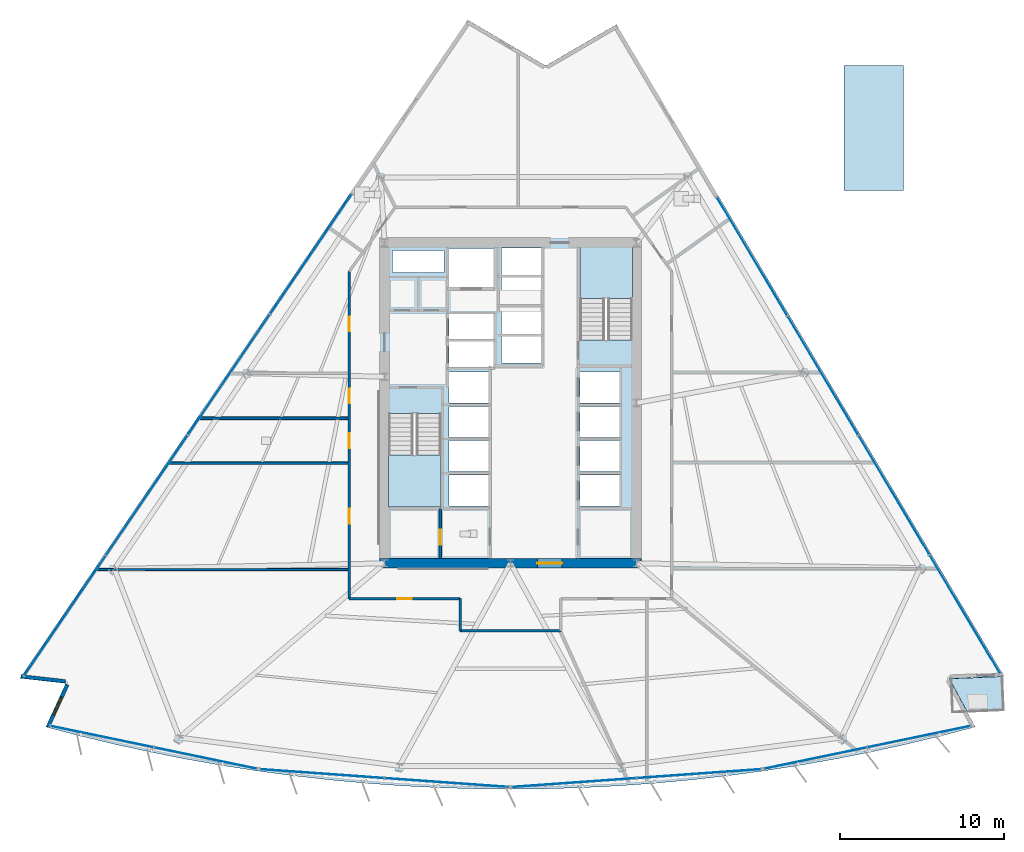
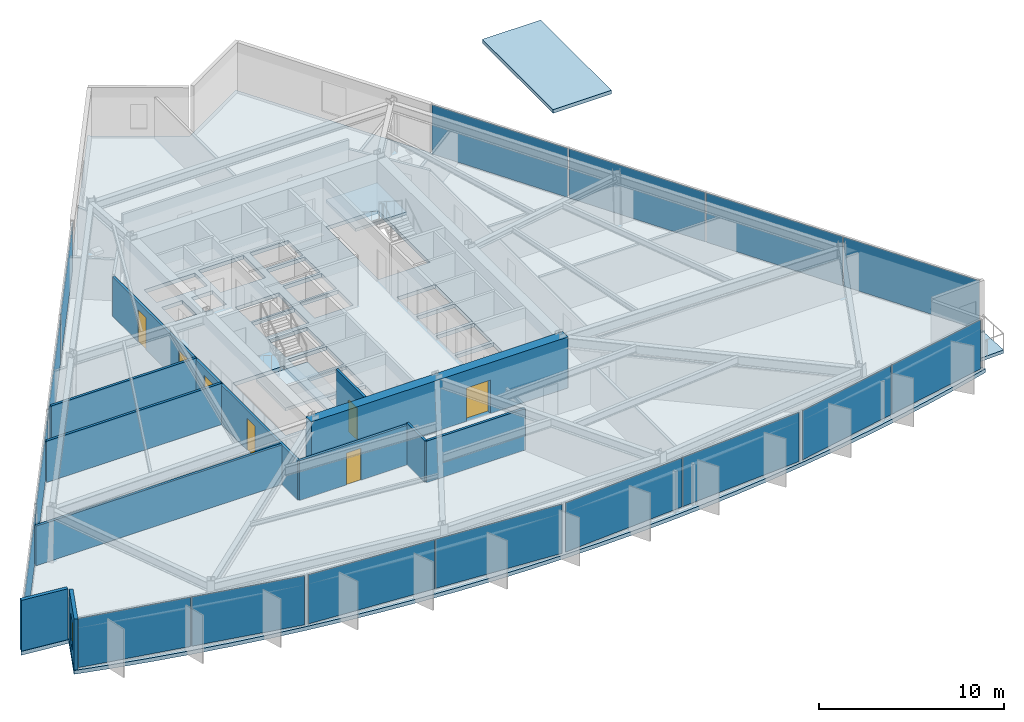
# One storey, part 8 of 16: 16 plates, 11 walls, 7 doors, 5 slabs, 1 window, 8 openings, 8 elements without a shape of their own.
"""IFC4 building model written with IfcOpenShell, lengths in metres."""

from ifc_helpers import new_model, si_unit, direction, frame, frame_2d, origin, origin_2d, place, context, subcontext, project, spatial, polyline, rectangle, outline, extrude, material, layer, layer_set, type_object, element, fill, aggregate, save


model = new_model("IFC4")

# Units and contexts
model_context = context("Model", 3, precision=1e-05, world=origin(), true_north=direction((0.0, 1.0)))
body_context = subcontext(model_context, "Body", "Model", "MODEL_VIEW")
ifc_project = project(units=[si_unit("LENGTHUNIT", "METRE"), si_unit("AREAUNIT", "SQUARE_METRE"), si_unit("VOLUMEUNIT", "CUBIC_METRE"), si_unit("PLANEANGLEUNIT", "RADIAN"), si_unit("MASSUNIT", "GRAM", prefix="KILO")], contexts=[model_context])

# Site, building, storey
site_placement = place(None, origin())
site = spatial("IfcSite", under=ifc_project, at=site_placement, CompositionType="ELEMENT")
building_placement = place(site_placement, origin())
building = spatial("IfcBuilding", under=site, at=building_placement, Name="Savorim Split Tower", CompositionType="ELEMENT")
storey_placement = place(building_placement, frame((0.0, 0.0, 30.0)))
storey = spatial("IfcBuildingStorey", under=building, at=storey_placement, Name="L07", CompositionType="ELEMENT", Elevation=30.0)

# Curtain wall, plates
ifc_material_1 = material(Name="Dark Ceramic-Fritted Insulated Glass", Category="glass")
curtain_wall_type = type_object("IfcCurtainWallType", Name="CW-TWR-FRIT-A", PredefinedType="NOTDEFINED", material=ifc_material_1)
curtain_wall_1_placement = place(storey_placement, origin())
curtain_wall_1 = element("IfcCurtainWall", 1, at=curtain_wall_1_placement, inside=storey, type_object=curtain_wall_type, Name="L07 Curtain Wall CW-L07-SF1", PredefinedType="NOTDEFINED")
ifc_layer_1 = layer(ifc_material_1, 0.028076171875)
ifc_layer_set_1 = layer_set([ifc_layer_1], Name="CWP-FRITA-28")
plate_type = type_object("IfcPlateType", Name="CWP-FRITA-28", PredefinedType="CURTAIN_PANEL", material=ifc_layer_set_1)
plate_1_placement = place(storey_placement, frame((-24.96826171875, -19.98974609375, 0.05517578125), z_axis=(0.0, 0.0, 1.0), x_axis=(0.979135110549, -0.203210322793, 0.0)))
plate_1 = element("IfcPlate", 2, at=plate_1_placement, type_object=plate_type, Name="CW-02 panel 1.1", PredefinedType="CURTAIN_PANEL", context=body_context, shape_type="SweptSolid", body=[
    extrude(rectangle(XDim=6.39013671875, YDim=0.028076171875, at=origin_2d()), origin(), (0.0, 0.0, 1.0), 3.239990234375),
])
plate_2_placement = place(storey_placement, frame((-18.647705078125, -21.301513671875, 0.05517578125), z_axis=(0.0, 0.0, 1.0), x_axis=(0.979135110549, -0.203210322793, 0.0)))
plate_2 = element("IfcPlate", 3, at=plate_2_placement, type_object=plate_type, Name="CW-02 panel 2.1", PredefinedType="CURTAIN_PANEL", context=body_context, shape_type="SweptSolid", body=[
    extrude(rectangle(XDim=6.39013671875, YDim=0.028076171875, at=origin_2d()), origin(), (0.0, 0.0, 1.0), 3.239990234375),
])
aggregate(curtain_wall_1, [plate_1, plate_2])

curtain_wall_2_placement = place(storey_placement, origin())
curtain_wall_2 = element("IfcCurtainWall", 4, at=curtain_wall_2_placement, inside=storey, type_object=curtain_wall_type, Name="L07 Curtain Wall CW-L07-SF2", PredefinedType="NOTDEFINED")
plate_3_placement = place(storey_placement, frame((-11.51123046875, -22.25390625, 0.05517578125), z_axis=(0.0, 0.0, 1.0), x_axis=(0.997436282589, -0.071560199658, 0.0)))
plate_3 = element("IfcPlate", 5, at=plate_3_placement, type_object=plate_type, Name="CW-02 panel 1.1", PredefinedType="CURTAIN_PANEL", context=body_context, shape_type="SweptSolid", body=[
    extrude(rectangle(XDim=7.572998046875, YDim=0.028076171875, at=origin_2d()), origin(), (0.0, 0.0, 1.0), 3.239990234375),
])
plate_4_placement = place(storey_placement, frame((-3.892822265625, -22.80029296875, 0.05517578125), z_axis=(0.0, 0.0, 1.0), x_axis=(0.997436282589, -0.071560199658, 0.0)))
plate_4 = element("IfcPlate", 6, at=plate_4_placement, type_object=plate_type, Name="CW-02 panel 2.1", PredefinedType="CURTAIN_PANEL", context=body_context, shape_type="SweptSolid", body=[
    extrude(rectangle(XDim=7.572998046875, YDim=0.028076171875, at=origin_2d()), origin(), (0.0, 0.0, 1.0), 3.239990234375),
])
aggregate(curtain_wall_2, [plate_3, plate_4])

curtain_wall_3_placement = place(storey_placement, origin())
curtain_wall_3 = element("IfcCurtainWall", 7, at=curtain_wall_3_placement, inside=storey, type_object=curtain_wall_type, Name="L07 Curtain Wall CW-L07-SF3", PredefinedType="NOTDEFINED")
plate_5_placement = place(storey_placement, frame((3.892822265625, -22.80029296875, 0.05517578125), z_axis=(0.0, 0.0, 1.0), x_axis=(0.997436282589, 0.071560199658, 0.0)))
plate_5 = element("IfcPlate", 8, at=plate_5_placement, type_object=plate_type, Name="CW-02 panel 1.1", PredefinedType="CURTAIN_PANEL", context=body_context, shape_type="SweptSolid", body=[
    extrude(rectangle(XDim=7.572998046875, YDim=0.028076171875, at=origin_2d()), origin(), (0.0, 0.0, 1.0), 3.239990234375),
])
plate_6_placement = place(storey_placement, frame((11.51123046875, -22.25390625, 0.05517578125), z_axis=(0.0, 0.0, 1.0), x_axis=(0.997436282589, 0.071560199658, 0.0)))
plate_6 = element("IfcPlate", 9, at=plate_6_placement, type_object=plate_type, Name="CW-02 panel 2.1", PredefinedType="CURTAIN_PANEL", context=body_context, shape_type="SweptSolid", body=[
    extrude(rectangle(XDim=7.572998046875, YDim=0.028076171875, at=origin_2d()), origin(), (0.0, 0.0, 1.0), 3.239990234375),
])
aggregate(curtain_wall_3, [plate_5, plate_6])

curtain_wall_4_placement = place(storey_placement, origin())
curtain_wall_4 = element("IfcCurtainWall", 10, at=curtain_wall_4_placement, inside=storey, type_object=curtain_wall_type, Name="L07 Curtain Wall CW-L07-SF4", PredefinedType="NOTDEFINED")
plate_7_placement = place(storey_placement, frame((18.647705078125, -21.301513671875, 0.05517578125), z_axis=(0.0, 0.0, 1.0), x_axis=(0.979135110549, 0.203210322793, 0.0)))
plate_7 = element("IfcPlate", 11, at=plate_7_placement, type_object=plate_type, Name="CW-02 panel 1.1", PredefinedType="CURTAIN_PANEL", context=body_context, shape_type="SweptSolid", body=[
    extrude(rectangle(XDim=6.39013671875, YDim=0.028076171875, at=origin_2d()), origin(), (0.0, 0.0, 1.0), 3.239990234375),
])
plate_8_placement = place(storey_placement, frame((24.96826171875, -19.98974609375, 0.05517578125), z_axis=(0.0, 0.0, 1.0), x_axis=(0.979135110549, 0.203210322793, 0.0)))
plate_8 = element("IfcPlate", 12, at=plate_8_placement, type_object=plate_type, Name="CW-02 panel 2.1", PredefinedType="CURTAIN_PANEL", context=body_context, shape_type="SweptSolid", body=[
    extrude(rectangle(XDim=6.39013671875, YDim=0.028076171875, at=origin_2d()), origin(), (0.0, 0.0, 1.0), 3.239990234375),
])
aggregate(curtain_wall_4, [plate_7, plate_8])

curtain_wall_5_placement = place(storey_placement, origin())
curtain_wall_5 = element("IfcCurtainWall", 13, at=curtain_wall_5_placement, inside=storey, type_object=curtain_wall_type, Name="L07 Curtain Wall CW-L07-EAST", PredefinedType="NOTDEFINED")
plate_9_placement = place(storey_placement, frame((27.76611328125, -12.51416015625, 0.05517578125), z_axis=(0.0, 0.0, 1.0), x_axis=(-0.511092439425, 0.859525752007, 0.0)))
plate_9 = element("IfcPlate", 14, at=plate_9_placement, type_object=plate_type, Name="CW-02 panel 1.1", PredefinedType="CURTAIN_PANEL", context=body_context, shape_type="SweptSolid", body=[
    extrude(rectangle(XDim=8.394775390625, YDim=0.028076171875, at=origin_2d()), origin(), (0.0, 0.0, 1.0), 3.239990234375),
])
plate_10_placement = place(storey_placement, frame((23.43408203125, -5.228759765625, 0.05517578125), z_axis=(0.0, 0.0, 1.0), x_axis=(-0.511092439425, 0.859525752007, 0.0)))
plate_10 = element("IfcPlate", 15, at=plate_10_placement, type_object=plate_type, Name="CW-02 panel 2.1", PredefinedType="CURTAIN_PANEL", context=body_context, shape_type="SweptSolid", body=[
    extrude(rectangle(XDim=8.42724609375, YDim=0.028076171875, at=origin_2d()), origin(), (0.0, 0.0, 1.0), 3.239990234375),
])
plate_11_placement = place(storey_placement, frame((19.093505859375, 2.070556640625, 0.05517578125), z_axis=(0.0, 0.0, 1.0), x_axis=(-0.511092439425, 0.859525752007, 0.0)))
plate_11 = element("IfcPlate", 16, at=plate_11_placement, type_object=plate_type, Name="CW-02 panel 3.1", PredefinedType="CURTAIN_PANEL", context=body_context, shape_type="SweptSolid", body=[
    extrude(rectangle(XDim=8.42724609375, YDim=0.028076171875, at=origin_2d()), origin(), (0.0, 0.0, 1.0), 3.239990234375),
])
plate_12_placement = place(storey_placement, frame((14.761474609375, 9.35595703125, 0.05517578125), z_axis=(0.0, 0.0, 1.0), x_axis=(-0.511092439425, 0.859525752007, 0.0)))
plate_12 = element("IfcPlate", 17, at=plate_12_placement, type_object=plate_type, Name="CW-02 panel 4.1", PredefinedType="CURTAIN_PANEL", context=body_context, shape_type="SweptSolid", body=[
    extrude(rectangle(XDim=8.394775390625, YDim=0.028076171875, at=origin_2d()), origin(), (0.0, 0.0, 1.0), 3.239990234375),
])
aggregate(curtain_wall_5, [plate_9, plate_10, plate_11, plate_12])

curtain_wall_6_placement = place(storey_placement, origin())
curtain_wall_6 = element("IfcCurtainWall", 18, at=curtain_wall_6_placement, inside=storey, type_object=curtain_wall_type, Name="L07 Curtain Wall CW-L07-WEST", PredefinedType="NOTDEFINED")
plate_13_placement = place(storey_placement, frame((-12.20166015625, 9.489990234375, 0.05517578125), z_axis=(0.0, 0.0, 1.0), x_axis=(-0.562465253164, -0.826820923165, 0.0)))
plate_13 = element("IfcPlate", 19, at=plate_13_placement, type_object=plate_type, Name="CW-02 panel 1.1", PredefinedType="CURTAIN_PANEL", context=body_context, shape_type="SweptSolid", body=[
    extrude(rectangle(XDim=8.822265625, YDim=0.028076171875, at=origin_2d()), origin(), (0.0, 0.0, 1.0), 3.239990234375),
])
plate_14_placement = place(storey_placement, frame((-17.20947265625, 2.12841796875, 0.05517578125), z_axis=(0.0, 0.0, 1.0), x_axis=(-0.562465253164, -0.826820923165, 0.0)))
plate_14 = element("IfcPlate", 20, at=plate_14_placement, type_object=plate_type, Name="CW-02 panel 2.1", PredefinedType="CURTAIN_PANEL", context=body_context, shape_type="SweptSolid", body=[
    extrude(rectangle(XDim=8.854736328125, YDim=0.028076171875, at=origin_2d()), origin(), (0.0, 0.0, 1.0), 3.239990234375),
])
plate_15_placement = place(storey_placement, frame((-22.2265625, -5.24658203125, 0.05517578125), z_axis=(0.0, 0.0, 1.0), x_axis=(-0.562465253164, -0.826820923165, 0.0)))
plate_15 = element("IfcPlate", 21, at=plate_15_placement, type_object=plate_type, Name="CW-02 panel 3.1", PredefinedType="CURTAIN_PANEL", context=body_context, shape_type="SweptSolid", body=[
    extrude(rectangle(XDim=8.854736328125, YDim=0.028076171875, at=origin_2d()), origin(), (0.0, 0.0, 1.0), 3.239990234375),
])
plate_16_placement = place(storey_placement, frame((-27.234375, -12.608154296875, 0.05517578125), z_axis=(0.0, 0.0, 1.0), x_axis=(-0.562465253164, -0.826820923165, 0.0)))
plate_16 = element("IfcPlate", 22, at=plate_16_placement, type_object=plate_type, Name="CW-02 panel 4.1", PredefinedType="CURTAIN_PANEL", context=body_context, shape_type="SweptSolid", body=[
    extrude(rectangle(XDim=8.822265625, YDim=0.028076171875, at=origin_2d()), origin(), (0.0, 0.0, 1.0), 3.239990234375),
])
aggregate(curtain_wall_6, [plate_13, plate_14, plate_15, plate_16])

# Slab
ifc_material_2 = material(Name="Concrete C50/60", Category="concrete")
ifc_layer_2 = layer(ifc_material_2, 0.219970703125)
ifc_layer_set_2 = layer_set([ifc_layer_2], Name="SLB-BAL-220")
slab_type_1 = type_object("IfcSlabType", Name="SLB-BAL-220", PredefinedType="FLOOR", material=ifc_layer_set_2)
slab_1_placement = place(storey_placement, frame((0.0, 0.0, -0.219970703125)))
element("IfcSlab", 23, at=slab_1_placement, inside=storey, type_object=slab_type_1, Name="L07 Notched Corner Planted Tree Balcony Slab", PredefinedType="FLOOR", context=body_context, shape_type="SweptSolid", body=[
    extrude(outline(polyline([(30.040283203125, -16.31591796875), (26.93603515625, -16.447998046875), (26.946044921875, -16.6796875), (27.89794921875, -18.453857421875), (30.12744140625, -18.35888671875), (30.040283203125, -16.31591796875)])), origin(), (0.0, 0.0, 1.0), 0.219970703125),
])

# Stair, slab
stair_type = type_object("IfcStairType", Name="STR-DOG-3600", PredefinedType="HALF_TURN_STAIR", material=ifc_material_2)
stair_1_placement = place(storey_placement, origin())
stair_1 = element("IfcStair", 24, at=stair_1_placement, inside=storey, type_object=stair_type, Name="L07 Core Protected Exit Stair ST-1", PredefinedType="HALF_TURN_STAIR")
ifc_layer_3 = layer(ifc_material_2, 0.199951171875)
ifc_layer_set_3 = layer_set([ifc_layer_3], Name="SLB-LND-200")
slab_type_2 = type_object("IfcSlabType", Name="SLB-LND-200", PredefinedType="LANDING", material=ifc_layer_set_3)
slab_2_placement = place(storey_placement, frame((0.0, 0.0, 1.60009765625)))
slab_2 = element("IfcSlab", 25, at=slab_2_placement, type_object=slab_type_2, Name="ST-1 landing 1", PredefinedType="LANDING", context=body_context, shape_type="SweptSolid", body=[
    extrude(outline(polyline([(-7.449951171875, -2.77001953125), (-7.449951171875, -5.949951171875), (-4.25, -5.949951171875), (-4.25, -2.77001953125), (-7.449951171875, -2.77001953125)])), origin(), (0.0, 0.0, 1.0), 0.199951171875),
])
aggregate(stair_1, [slab_2])

stair_2_placement = place(storey_placement, origin())
stair_2 = element("IfcStair", 26, at=stair_2_placement, inside=storey, type_object=stair_type, Name="L07 Core Protected Exit Stair ST-2", PredefinedType="HALF_TURN_STAIR")
slab_3_placement = place(storey_placement, frame((0.0, 0.0, 1.60009765625)))
slab_3 = element("IfcSlab", 27, at=slab_3_placement, type_object=slab_type_2, Name="ST-2 landing 1", PredefinedType="LANDING", context=body_context, shape_type="SweptSolid", body=[
    extrude(outline(polyline([(7.449951171875, 6.77001953125), (7.449951171875, 9.949951171875), (4.25, 9.949951171875), (4.25, 6.77001953125), (7.449951171875, 6.77001953125)])), origin(), (0.0, 0.0, 1.0), 0.199951171875),
])
aggregate(stair_2, [slab_3])

# Slabs
ifc_layer_4 = layer(ifc_material_2, 0.239990234375)
ifc_layer_set_4 = layer_set([ifc_layer_4], Name="SLB-ROOF-240")
slab_type_3 = type_object("IfcSlabType", Name="SLB-ROOF-240", PredefinedType="ROOF", material=ifc_layer_set_4)
slab_4_placement = place(storey_placement, frame((0.0, 0.0, -0.25)))
element("IfcSlab", 28, at=slab_4_placement, inside=storey, type_object=slab_type_3, Name="Stair ST-3 Garden Pavilion Roof Slab", PredefinedType="ROOF", context=body_context, shape_type="SweptSolid", body=[
    extrude(outline(polyline([(20.3798828125, 13.3798828125), (24.02001953125, 13.3798828125), (24.02001953125, 21.02001953125), (20.3798828125, 21.02001953125), (20.3798828125, 13.3798828125)])), origin(), (0.0, 0.0, 1.0), 0.239990234375),
])
ifc_layer_5 = layer(ifc_material_2, 0.25)
ifc_layer_set_5 = layer_set([ifc_layer_5], Name="SLB-TWR-250")
slab_type_4 = type_object("IfcSlabType", Name="SLB-TWR-250", PredefinedType="FLOOR", material=ifc_layer_set_5)
slab_5_placement = place(storey_placement, frame((0.0, 0.0, -0.25)))
element("IfcSlab", 29, at=slab_5_placement, inside=storey, type_object=slab_type_4, Name="L07 Structural Floor Slab", PredefinedType="FLOOR", context=body_context, shape_type="SweptSolid", body=[
    extrude(outline(polyline([(-28.39990234375, -19.39990234375), (-26.261474609375, -19.959228515625), (-24.11181640625, -20.474609375), (-21.951904296875, -20.946044921875), (-19.783203125, -21.373046875), (-17.60595703125, -21.755615234375), (-15.42138671875, -22.093505859375), (-13.230224609375, -22.38671875), (-11.03369140625, -22.635009765625), (-8.83251953125, -22.83837890625), (-6.627685546875, -22.99658203125), (-4.419921875, -23.109619140625), (-2.21044921875, -23.177490234375), (0.0, -23.199951171875), (2.21044921875, -23.177490234375), (4.419921875, -23.109619140625), (6.627685546875, -22.99658203125), (8.83251953125, -22.83837890625), (11.03369140625, -22.635009765625), (13.230224609375, -22.38671875), (15.42138671875, -22.093505859375), (17.60595703125, -21.755615234375), (19.783203125, -21.373046875), (21.951904296875, -20.946044921875), (24.11181640625, -20.474609375), (26.261474609375, -19.959228515625), (28.39990234375, -19.39990234375), (26.81591796875, -16.447998046875), (30.16015625, -16.3056640625), (6.473876953125, 23.5283203125), (2.14990234375, 21.00830078125), (-2.6083984375, 23.80517578125), (-29.97509765625, -16.423583984375), (-27.176025390625, -16.736083984375), (-28.39990234375, -19.39990234375)]), holes=[polyline([(-7.449951171875, -0.25390625), (-7.449951171875, -5.949951171875), (-4.25, -5.949951171875), (-4.25, -0.25390625), (-7.449951171875, -0.25390625)]), polyline([(7.449951171875, 4.25390625), (7.449951171875, 9.949951171875), (4.25, 9.949951171875), (4.25, 4.25390625), (7.449951171875, 4.25390625)]), polyline([(4.25, -5.89990234375), (6.64990234375, -5.89990234375), (6.64990234375, -4.0), (4.25, -4.0), (4.25, -5.89990234375)]), polyline([(4.25, -3.800048828125), (6.64990234375, -3.800048828125), (6.64990234375, -1.89990234375), (4.25, -1.89990234375), (4.25, -3.800048828125)]), polyline([(4.25, -1.699951171875), (6.64990234375, -1.699951171875), (6.64990234375, 0.199951171875), (4.25, 0.199951171875), (4.25, -1.699951171875)]), polyline([(4.25, 0.39990234375), (6.64990234375, 0.39990234375), (6.64990234375, 2.300048828125), (4.25, 2.300048828125), (4.25, 0.39990234375)]), polyline([(-3.75, -5.89990234375), (-1.35009765625, -5.89990234375), (-1.35009765625, -4.0), (-3.75, -4.0), (-3.75, -5.89990234375)]), polyline([(-3.75, -3.800048828125), (-1.35009765625, -3.800048828125), (-1.35009765625, -1.89990234375), (-3.75, -1.89990234375), (-3.75, -3.800048828125)]), polyline([(-3.75, -1.699951171875), (-1.35009765625, -1.699951171875), (-1.35009765625, 0.199951171875), (-3.75, 0.199951171875), (-3.75, -1.699951171875)]), polyline([(-3.75, 0.39990234375), (-1.35009765625, 0.39990234375), (-1.35009765625, 2.300048828125), (-3.75, 2.300048828125), (-3.75, 0.39990234375)]), polyline([(-0.550048828125, 2.830078125), (1.85009765625, 2.830078125), (1.85009765625, 4.469970703125), (-0.550048828125, 4.469970703125), (-0.550048828125, 2.830078125)]), polyline([(-0.550048828125, 4.6298828125), (1.85009765625, 4.6298828125), (1.85009765625, 6.27001953125), (-0.550048828125, 6.27001953125), (-0.550048828125, 4.6298828125)]), polyline([(-0.550048828125, 6.429931640625), (1.85009765625, 6.429931640625), (1.85009765625, 8.070068359375), (-0.550048828125, 8.070068359375), (-0.550048828125, 6.429931640625)]), polyline([(-0.550048828125, 8.22998046875), (1.85009765625, 8.22998046875), (1.85009765625, 9.8701171875), (-0.550048828125, 9.8701171875), (-0.550048828125, 8.22998046875)]), polyline([(-3.75, 2.60009765625), (-1.050048828125, 2.60009765625), (-1.050048828125, 4.159912109375), (-3.75, 4.159912109375), (-3.75, 2.60009765625)]), polyline([(-3.75, 4.280029296875), (-1.050048828125, 4.280029296875), (-1.050048828125, 5.840087890625), (-3.75, 5.840087890625), (-3.75, 4.280029296875)]), polyline([(-3.75, 7.449951171875), (-0.949951171875, 7.449951171875), (-0.949951171875, 9.85009765625), (-3.75, 9.85009765625), (-3.75, 7.449951171875)]), polyline([(-7.219970703125, 6.320068359375), (-5.919921875, 6.320068359375), (-5.919921875, 7.820068359375), (-7.219970703125, 7.820068359375), (-7.219970703125, 6.320068359375)]), polyline([(-5.3798828125, 6.320068359375), (-4.050048828125, 6.320068359375), (-4.050048828125, 7.820068359375), (-5.3798828125, 7.820068359375), (-5.3798828125, 6.320068359375)]), polyline([(-7.219970703125, 8.360107421875), (-4.050048828125, 8.360107421875), (-4.050048828125, 9.719970703125), (-7.219970703125, 9.719970703125), (-7.219970703125, 8.360107421875)])]), origin(), (0.0, 0.0, 1.0), 0.25),
])

# Wall, opening, door
ifc_material_3 = material(Name="Concrete C60/75", Category="concrete")
ifc_layer_6 = layer(ifc_material_3, 0.60009765625)
ifc_layer_set_6 = layer_set([ifc_layer_6], Name="WAL-COR-SH600")
wall_type_1 = type_object("IfcWallType", Name="WAL-COR-SH600", PredefinedType="SHEAR", material=ifc_layer_set_6)
wall_1_placement = place(storey_placement, frame((-8.0, -9.39990234375, 0.0), z_axis=(0.0, 0.0, 1.0), x_axis=(1.0, 0.0, 0.0)))
wall_1 = element("IfcWall", 30, at=wall_1_placement, inside=storey, type_object=wall_type_1, Name="L07 Offset Core South Shear Wall", PredefinedType="SHEAR", context=body_context, shape_type="SweptSolid", body=[
    extrude(rectangle(XDim=16.0, YDim=0.60009765625, at=frame_2d((8.0, 0.0))), origin(), (0.0, 0.0, 1.0), 3.35009765625),
])
opening_1_placement = place(wall_1_placement, frame((9.64990234375, 0.0, 0.0)))
opening_1 = element("IfcOpeningElement", 31, at=opening_1_placement, cuts=wall_1, Name="Opening DI-02", PredefinedType="OPENING", context=body_context, shape_type="SweptSolid", body=[
    extrude(rectangle(XDim=1.5, YDim=2.199951171875, at=frame_2d((0.75, 1.10009765625))), frame((0.0, 0.31005859375, 0.0), z_axis=(0.0, -1.0, 0.0), x_axis=(1.0, 0.0, 0.0)), (0.0, 0.0, 1.0), 0.6201171875),
])
ifc_material_4 = material(Name="Timber Fire Door Leaf", Category="wood")
door_type_1 = type_object("IfcDoorType", Name="DOR-DBL-1500", OperationType="NOTDEFINED", PredefinedType="DOOR", material=ifc_material_4)
door_1_placement = place(opening_1_placement, origin())
door_1 = element("IfcDoor", 32, at=door_1_placement, inside=storey, type_object=door_type_1, Name="DOR-L07-COR-LLOB - L07 Lift Lobby Main Rated Door", OperationType="DOUBLE_DOOR_SINGLE_SWING", OverallHeight=2.199951171875, OverallWidth=1.5, PredefinedType="DOOR", context=body_context, shape_type="SweptSolid", body=[
    extrude(rectangle(XDim=1.5, YDim=2.199951171875, at=frame_2d((0.75, 1.10009765625))), frame((0.0, 0.02490234375, 0.0), z_axis=(0.0, -1.0, 0.0), x_axis=(1.0, 0.0, 0.0)), (0.0, 0.0, 1.0), 0.050048828125),
])
fill(opening_1, door_1)

# Wall
ifc_material_5 = material(Name="Precast concrete C40/50", Category="concrete")
ifc_layer_7 = layer(ifc_material_5, 0.219970703125)
ifc_layer_set_7 = layer_set([ifc_layer_7], Name="WAL-EXT-CRN220")
wall_type_2 = type_object("IfcWallType", Name="WAL-EXT-CRN220", PredefinedType="SOLIDWALL", material=ifc_layer_set_7)
wall_2_placement = place(storey_placement, frame((-27.202392578125, -16.6123046875, 0.0), z_axis=(0.0, 0.0, 1.0), x_axis=(-0.993822658088, 0.110979837223, 0.0)))
element("IfcWall", 33, at=wall_2_placement, inside=storey, type_object=wall_type_2, Name="L07 Notched Corner Facade Wall SW1", PredefinedType="SOLIDWALL", context=body_context, shape_type="SweptSolid", body=[
    extrude(rectangle(XDim=2.736572265625, YDim=0.219970703125, at=frame_2d((1.3681640625, 0.0))), origin(), (0.0, 0.0, 1.0), 3.35009765625),
])

# Wall, opening, window
wall_3_placement = place(storey_placement, frame((-28.2744140625, -19.413818359375, 0.0), z_axis=(0.0, 0.0, 1.0), x_axis=(0.417521186742, 0.908667188041, 0.0)))
wall_3 = element("IfcWall", 34, at=wall_3_placement, inside=storey, type_object=wall_type_2, Name="L07 Notched Corner Facade Wall SW", PredefinedType="SOLIDWALL", context=body_context, shape_type="SweptSolid", body=[
    extrude(rectangle(XDim=2.851806640625, YDim=0.219970703125, at=frame_2d((1.42578125, 0.0))), origin(), (0.0, 0.0, 1.0), 3.35009765625),
])
opening_2_placement = place(wall_3_placement, frame((0.825927734375, 0.0, 0.6201171875)))
opening_2 = element("IfcOpeningElement", 35, at=opening_2_placement, cuts=wall_3, Name="Opening WN-08", PredefinedType="OPENING", context=body_context, shape_type="SweptSolid", body=[
    extrude(rectangle(XDim=1.199951171875, YDim=1.800048828125, at=frame_2d((0.60009765625, 0.89990234375))), frame((0.0, 0.119873046875, 0.0), z_axis=(0.0, -1.0, 0.0), x_axis=(1.0, 0.0, 0.0)), (0.0, 0.0, 1.0), 0.239990234375),
])
ifc_material_6 = material(Name="Low-E Operable Double Glazing", Category="glass")
window_type = type_object("IfcWindowType", Name="WIN-TWR-1200x1800", PartitioningType="SINGLE_PANEL", PredefinedType="WINDOW", material=ifc_material_6)
window_placement = place(opening_2_placement, origin())
window = element("IfcWindow", 36, at=window_placement, inside=storey, type_object=window_type, Name="L07 Operable Corner Window SW", OverallHeight=1.800048828125, OverallWidth=1.199951171875, PartitioningType="SINGLE_PANEL", PredefinedType="WINDOW", context=body_context, shape_type="SweptSolid", body=[
    extrude(rectangle(XDim=1.199951171875, YDim=1.800048828125, at=frame_2d((0.60009765625, 0.89990234375))), frame((0.0, 0.030029296875, 0.0), z_axis=(0.0, -1.0, 0.0), x_axis=(1.0, 0.0, 0.0)), (0.0, 0.0, 1.0), 0.06005859375),
])
fill(opening_2, window)

# Wall, opening, door
ifc_material_7 = material(Name="Acoustic Gypsum Partition Board")
ifc_layer_8 = layer(ifc_material_7, 0.14990234375)
ifc_layer_set_8 = layer_set([ifc_layer_8], Name="WAL-PAR-150")
wall_type_3 = type_object("IfcWallType", Name="WAL-PAR-150", PredefinedType="PARTITIONING", material=ifc_layer_set_8)
wall_4_placement = place(storey_placement, frame((-4.300048828125, -9.094970703125, 0.0), z_axis=(0.0, 0.0, 1.0), x_axis=(0.0, 1.0, 0.0)))
wall_4 = element("IfcWall", 37, at=wall_4_placement, inside=storey, type_object=wall_type_3, Name="L07 Partition W-L07-K1W", PredefinedType="PARTITIONING", context=body_context, shape_type="SweptSolid", body=[
    extrude(rectangle(XDim=3.044921875, YDim=0.14990234375, at=frame_2d((1.5224609375, 0.0))), origin(), (0.0, 0.0, 1.0), 3.35009765625),
])
opening_3_placement = place(wall_4_placement, frame((0.844970703125, 0.0, 0.0)))
opening_3 = element("IfcOpeningElement", 38, at=opening_3_placement, cuts=wall_4, Name="Opening DI-06", PredefinedType="OPENING", context=body_context, shape_type="SweptSolid", body=[
    extrude(rectangle(XDim=0.89990234375, YDim=2.10009765625, at=frame_2d((0.449951171875, 1.050048828125))), frame((0.0, 0.0849609375, 0.0), z_axis=(0.0, -1.0, 0.0), x_axis=(1.0, 0.0, 0.0)), (0.0, 0.0, 1.0), 0.169921875),
])
door_type_2 = type_object("IfcDoorType", Name="DOR-FIR-900", OperationType="NOTDEFINED", PredefinedType="DOOR", material=ifc_material_4)
door_2_placement = place(opening_3_placement, origin())
door_2 = element("IfcDoor", 39, at=door_2_placement, inside=storey, type_object=door_type_2, Name="DR-L07-K1HK - L07 Housekeeping Store Door", OperationType="SINGLE_SWING_RIGHT", OverallHeight=2.10009765625, OverallWidth=0.89990234375, PredefinedType="DOOR", context=body_context, shape_type="SweptSolid", body=[
    extrude(rectangle(XDim=0.89990234375, YDim=2.10009765625, at=frame_2d((0.449951171875, 1.050048828125))), frame((0.0, 0.02490234375, 0.0), z_axis=(0.0, -1.0, 0.0), x_axis=(1.0, 0.0, 0.0)), (0.0, 0.0, 1.0), 0.050048828125),
])
fill(opening_3, door_2)

# Wall, openings, doors
wall_5_placement = place(storey_placement, frame((-9.860107421875, -11.56005859375, 0.0), z_axis=(0.0, 0.0, 1.0), x_axis=(0.0, 1.0, 0.0)))
wall_5 = element("IfcWall", 40, at=wall_5_placement, inside=storey, type_object=wall_type_3, Name="L07 Partition W-L07-COR-01", PredefinedType="PARTITIONING", context=body_context, shape_type="SweptSolid", body=[
    extrude(rectangle(XDim=19.98583984375, YDim=0.14990234375, at=frame_2d((9.992919921875, 0.0))), origin(), (0.0, 0.0, 1.0), 2.60888671875),
])
opening_4_placement = place(wall_5_placement, frame((9.205322265625, 0.0, 0.0)))
opening_4 = element("IfcOpeningElement", 41, at=opening_4_placement, cuts=wall_5, Name="Opening DI-06", PredefinedType="OPENING", context=body_context, shape_type="SweptSolid", body=[
    extrude(rectangle(XDim=0.89990234375, YDim=2.10009765625, at=frame_2d((0.449951171875, 1.050048828125))), frame((0.0, 0.0849609375, 0.0), z_axis=(0.0, -1.0, 0.0), x_axis=(1.0, 0.0, 0.0)), (0.0, 0.0, 1.0), 0.169921875),
])
opening_5_placement = place(wall_5_placement, frame((4.583740234375, 0.0, 0.0)))
opening_5 = element("IfcOpeningElement", 42, at=opening_5_placement, cuts=wall_5, Name="Opening DI-06", PredefinedType="OPENING", context=body_context, shape_type="SweptSolid", body=[
    extrude(rectangle(XDim=0.89990234375, YDim=2.10009765625, at=frame_2d((0.449951171875, 1.050048828125))), frame((0.0, 0.0849609375, 0.0), z_axis=(0.0, -1.0, 0.0), x_axis=(1.0, 0.0, 0.0)), (0.0, 0.0, 1.0), 0.169921875),
])
opening_6_placement = place(wall_5_placement, frame((16.336181640625, 0.0, 0.0)))
opening_6 = element("IfcOpeningElement", 43, at=opening_6_placement, cuts=wall_5, Name="Opening DI-06", PredefinedType="OPENING", context=body_context, shape_type="SweptSolid", body=[
    extrude(rectangle(XDim=0.89990234375, YDim=2.10009765625, at=frame_2d((0.449951171875, 1.050048828125))), frame((0.0, 0.0849609375, 0.0), z_axis=(0.0, -1.0, 0.0), x_axis=(1.0, 0.0, 0.0)), (0.0, 0.0, 1.0), 0.169921875),
])
opening_7_placement = place(wall_5_placement, frame((11.945068359375, 0.0, 0.0)))
opening_7 = element("IfcOpeningElement", 44, at=opening_7_placement, cuts=wall_5, Name="Opening DI-06", PredefinedType="OPENING", context=body_context, shape_type="SweptSolid", body=[
    extrude(rectangle(XDim=0.89990234375, YDim=2.10009765625, at=frame_2d((0.449951171875, 1.050048828125))), frame((0.0, 0.0849609375, 0.0), z_axis=(0.0, -1.0, 0.0), x_axis=(1.0, 0.0, 0.0)), (0.0, 0.0, 1.0), 0.169921875),
])
door_3_placement = place(opening_4_placement, origin())
door_3 = element("IfcDoor", 45, at=door_3_placement, inside=storey, type_object=door_type_2, Name="DR-L07-RM01 - L07 Shared Kitchen Entry Door", OperationType="SINGLE_SWING_RIGHT", OverallHeight=2.10009765625, OverallWidth=0.89990234375, PredefinedType="DOOR", context=body_context, shape_type="SweptSolid", body=[
    extrude(rectangle(XDim=0.89990234375, YDim=2.10009765625, at=frame_2d((0.449951171875, 1.050048828125))), frame((0.0, 0.02490234375, 0.0), z_axis=(0.0, -1.0, 0.0), x_axis=(1.0, 0.0, 0.0)), (0.0, 0.0, 1.0), 0.050048828125),
])
fill(opening_4, door_3)
door_4_placement = place(opening_5_placement, origin())
door_4 = element("IfcDoor", 46, at=door_4_placement, inside=storey, type_object=door_type_2, Name="DR-L07-RM02 - L07 Maker Workshop Entry Door", OperationType="SINGLE_SWING_LEFT", OverallHeight=2.10009765625, OverallWidth=0.89990234375, PredefinedType="DOOR", context=body_context, shape_type="SweptSolid", body=[
    extrude(rectangle(XDim=0.89990234375, YDim=2.10009765625, at=frame_2d((0.449951171875, 1.050048828125))), frame((0.0, 0.02490234375, 0.0), z_axis=(0.0, -1.0, 0.0), x_axis=(1.0, 0.0, 0.0)), (0.0, 0.0, 1.0), 0.050048828125),
])
fill(opening_5, door_4)
door_5_placement = place(opening_6_placement, origin())
door_5 = element("IfcDoor", 47, at=door_5_placement, inside=storey, type_object=door_type_2, Name="DR-L07-RM14 - L07 Co-Living Bedroom Entry Door", OperationType="SINGLE_SWING_LEFT", OverallHeight=2.10009765625, OverallWidth=0.89990234375, PredefinedType="DOOR", context=body_context, shape_type="SweptSolid", body=[
    extrude(rectangle(XDim=0.89990234375, YDim=2.10009765625, at=frame_2d((0.449951171875, 1.050048828125))), frame((0.0, 0.02490234375, 0.0), z_axis=(0.0, -1.0, 0.0), x_axis=(1.0, 0.0, 0.0)), (0.0, 0.0, 1.0), 0.050048828125),
])
fill(opening_6, door_5)
door_6_placement = place(opening_7_placement, origin())
door_6 = element("IfcDoor", 48, at=door_6_placement, inside=storey, type_object=door_type_2, Name="DR-L07-RM15 - L07 Co-Living Bedroom Entry Door", OperationType="SINGLE_SWING_RIGHT", OverallHeight=2.10009765625, OverallWidth=0.89990234375, PredefinedType="DOOR", context=body_context, shape_type="SweptSolid", body=[
    extrude(rectangle(XDim=0.89990234375, YDim=2.10009765625, at=frame_2d((0.449951171875, 1.050048828125))), frame((0.0, 0.02490234375, 0.0), z_axis=(0.0, -1.0, 0.0), x_axis=(1.0, 0.0, 0.0)), (0.0, 0.0, 1.0), 0.050048828125),
])
fill(opening_7, door_6)

# Walls
wall_6_placement = place(storey_placement, frame((3.080078125, -13.530029296875, 0.0), z_axis=(0.0, 0.0, 1.0), x_axis=(-1.0, 0.0, 0.0)))
element("IfcWall", 49, at=wall_6_placement, inside=storey, type_object=wall_type_3, Name="L07 Partition W-L07-COR-08", PredefinedType="PARTITIONING", context=body_context, shape_type="SweptSolid", body=[
    extrude(rectangle(XDim=6.16015625, YDim=0.14990234375, at=frame_2d((3.080078125, 0.0))), origin(), (0.0, 0.0, 1.0), 2.72509765625),
])
wall_7_placement = place(storey_placement, frame((-3.080078125, -13.530029296875, 0.0), z_axis=(0.0, 0.0, 1.0), x_axis=(0.0, 1.0, 0.0)))
element("IfcWall", 50, at=wall_7_placement, inside=storey, type_object=wall_type_3, Name="L07 Partition W-L07-COR-09", PredefinedType="PARTITIONING", context=body_context, shape_type="SweptSolid", body=[
    extrude(rectangle(XDim=1.969970703125, YDim=0.14990234375, at=frame_2d((0.98486328125, 0.0))), origin(), (0.0, 0.0, 1.0), 2.72509765625),
])

# Wall, opening, door
wall_8_placement = place(storey_placement, frame((-3.080078125, -11.56005859375, 0.0), z_axis=(0.0, 0.0, 1.0), x_axis=(-1.0, 0.0, 0.0)))
wall_8 = element("IfcWall", 51, at=wall_8_placement, inside=storey, type_object=wall_type_3, Name="L07 Partition W-L07-COR-10", PredefinedType="PARTITIONING", context=body_context, shape_type="SweptSolid", body=[
    extrude(rectangle(XDim=6.780029296875, YDim=0.14990234375, at=frame_2d((3.39013671875, 0.0))), origin(), (0.0, 0.0, 1.0), 2.60888671875),
])
opening_8_placement = place(wall_8_placement, frame((2.93994140625, 0.0, 0.0)))
opening_8 = element("IfcOpeningElement", 52, at=opening_8_placement, cuts=wall_8, Name="Opening DI-06", PredefinedType="OPENING", context=body_context, shape_type="SweptSolid", body=[
    extrude(rectangle(XDim=0.89990234375, YDim=2.10009765625, at=frame_2d((0.449951171875, 1.050048828125))), frame((0.0, 0.0849609375, 0.0), z_axis=(0.0, -1.0, 0.0), x_axis=(1.0, 0.0, 0.0)), (0.0, 0.0, 1.0), 0.169921875),
])
door_7_placement = place(opening_8_placement, origin())
door_7 = element("IfcDoor", 53, at=door_7_placement, inside=storey, type_object=door_type_2, Name="DR-L07-RM03 - L07 Co-Working Commons Entry Door", OperationType="SINGLE_SWING_RIGHT", OverallHeight=2.10009765625, OverallWidth=0.89990234375, PredefinedType="DOOR", context=body_context, shape_type="SweptSolid", body=[
    extrude(rectangle(XDim=0.89990234375, YDim=2.10009765625, at=frame_2d((0.449951171875, 1.050048828125))), frame((0.0, 0.02490234375, 0.0), z_axis=(0.0, -1.0, 0.0), x_axis=(1.0, 0.0, 0.0)), (0.0, 0.0, 1.0), 0.050048828125),
])
fill(opening_8, door_7)

# Walls
wall_9_placement = place(storey_placement, frame((-9.919921875, -9.77783203125, 0.0), z_axis=(0.0, 0.0, 1.0), x_axis=(-1.0, 0.0, 0.0)))
element("IfcWall", 54, at=wall_9_placement, inside=storey, type_object=wall_type_3, Name="L07 Partition W-L07-PRAD10", PredefinedType="PARTITIONING", context=body_context, shape_type="SweptSolid", body=[
    extrude(rectangle(XDim=15.32861328125, YDim=0.14990234375, at=frame_2d((7.664306640625, 0.0))), origin(), (0.0, 0.0, 1.0), 2.60888671875),
])
wall_10_placement = place(storey_placement, frame((-9.919921875, -3.274658203125, 0.0), z_axis=(0.0, 0.0, 1.0), x_axis=(-1.0, 0.0, 0.0)))
element("IfcWall", 55, at=wall_10_placement, inside=storey, type_object=wall_type_3, Name="L07 Partition W-L07-SUB01", PredefinedType="PARTITIONING", context=body_context, shape_type="SweptSolid", body=[
    extrude(rectangle(XDim=10.90478515625, YDim=0.14990234375, at=frame_2d((5.452392578125, 0.0))), origin(), (0.0, 0.0, 1.0), 2.72509765625),
])
wall_11_placement = place(storey_placement, frame((-9.919921875, -0.534912109375, 0.0), z_axis=(0.0, 0.0, 1.0), x_axis=(-1.0, 0.0, 0.0)))
element("IfcWall", 56, at=wall_11_placement, inside=storey, type_object=wall_type_3, Name="L07 Partition W-L07-SUB07", PredefinedType="PARTITIONING", context=body_context, shape_type="SweptSolid", body=[
    extrude(rectangle(XDim=9.040771484375, YDim=0.14990234375, at=frame_2d((4.5205078125, 0.0))), origin(), (0.0, 0.0, 1.0), 2.72509765625),
])

save(model, "model.ifc")
